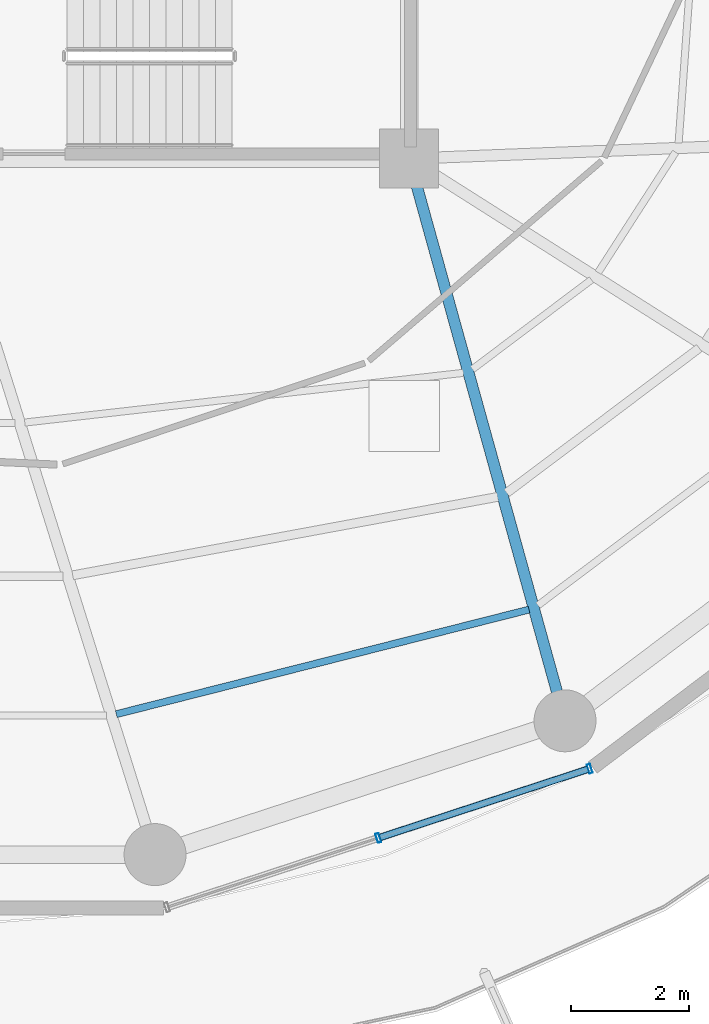
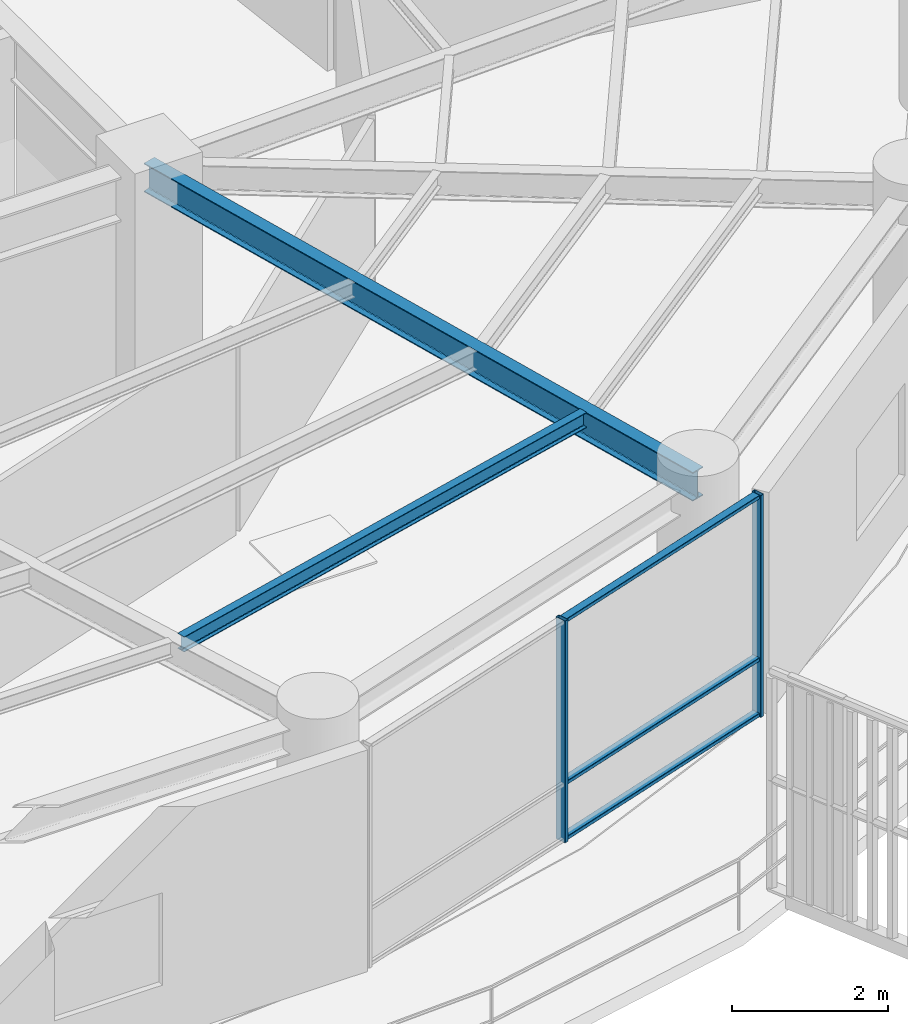
# One storey, part 10 of 31: 5 members, 2 beams, 1 element without a shape of its own.
"""IFC4 building model written with IfcOpenShell, lengths in metres."""

from ifc_helpers import new_model, si_unit, direction, frame, origin, origin_2d, place, context, subcontext, project, spatial, hollow_rectangle, i_section, extrude, material, layer, layer_set, material_profile, profile_set, type_object, element, aggregate, save


model = new_model("IFC4")

# Units and contexts
model_context = context("Model", 3, precision=1e-05, world=origin(), true_north=direction((0.0, 1.0)))
body_context = subcontext(model_context, "Body", "Model", "MODEL_VIEW")
ifc_project = project(units=[si_unit("LENGTHUNIT", "METRE"), si_unit("AREAUNIT", "SQUARE_METRE"), si_unit("VOLUMEUNIT", "CUBIC_METRE"), si_unit("PLANEANGLEUNIT", "RADIAN"), si_unit("MASSUNIT", "GRAM", prefix="KILO")], contexts=[model_context])

# Site, building, storey
site_placement = place(None, origin())
site = spatial("IfcSite", under=ifc_project, at=site_placement, CompositionType="ELEMENT")
building_placement = place(site_placement, origin())
building = spatial("IfcBuilding", under=site, at=building_placement, Name="Kelanora Arch Commons", CompositionType="ELEMENT")
storey_placement = place(building_placement, frame((0.0, 0.0, 226.949951171875)))
storey = spatial("IfcBuildingStorey", under=building, at=storey_placement, Name="L58", CompositionType="ELEMENT", Elevation=226.949951171875)

# Beams
ifc_material_1 = material(Name="Steel S355", Category="steel")
ifc_material_profile_1 = material_profile(ifc_material_1, i_section(OverallWidth=0.1201171875, OverallDepth=0.239990234375, WebThickness=0.006103515625, FlangeThickness=0.009765625, FilletRadius=0.014892578125, at=origin_2d()), Name="IPE240")
ifc_profile_set_1 = profile_set([ifc_material_profile_1], Name="Steel S355")
beam_type_1 = type_object("IfcBeamType", Name="BM-JST-02", PredefinedType="JOIST", material=ifc_profile_set_1)
beam_1_placement = place(storey_placement, frame((77.03857421875, 41.5888671875, 3.3701171875), z_axis=(0.969370989998, 0.245601066263, 0.0), x_axis=(-0.245601066263, 0.969370989998, 0.0)))
element("IfcBeam", 1, at=beam_1_placement, inside=storey, type_object=beam_type_1, Name="Secondary Chord Joist BJC-28 L58", PredefinedType="JOIST", context=body_context, shape_type="SweptSolid", body=[
    extrude(i_section(OverallWidth=0.1201171875, OverallDepth=0.239990234375, WebThickness=0.006103515625, FlangeThickness=0.009765625, FilletRadius=0.014892578125, at=origin_2d()), origin(), (0.0, 0.0, 1.0), 7.2119140625),
])
ifc_material_profile_2 = material_profile(ifc_material_1, i_section(OverallWidth=0.18994140625, OverallDepth=0.449951171875, WebThickness=0.009521484375, FlangeThickness=0.0146484375, FilletRadius=0.02099609375, at=origin_2d()), Name="IPE450")
ifc_profile_set_2 = profile_set([ifc_material_profile_2], Name="Steel S355")
beam_type_2 = type_object("IfcBeamType", Name="BM-RAD-Z4", PredefinedType="BEAM", material=ifc_profile_set_2)
beam_2_placement = place(storey_placement, frame((82.0, 51.0, 3.26513671875), z_axis=(0.267120164296, -0.963663228429, 0.0), x_axis=(0.963663228429, 0.267120164296, 0.0)))
element("IfcBeam", 2, at=beam_2_placement, inside=storey, type_object=beam_type_2, Name="Radial Floor Girder BR-30 L58", PredefinedType="BEAM", context=body_context, shape_type="SweptSolid", body=[
    extrude(i_section(OverallWidth=0.18994140625, OverallDepth=0.449951171875, WebThickness=0.009521484375, FlangeThickness=0.0146484375, FilletRadius=0.02099609375, at=origin_2d()), origin(), (0.0, 0.0, 1.0), 9.8828125),
])

# Curtain wall, members
ifc_material_2 = material(Name="Terracotta ceramic-fritted low-E glass and aluminium", Category="masonry")
ifc_layer = layer(ifc_material_2, 0.175048828125)
ifc_layer_set = layer_set([ifc_layer], Name="Terracotta ceramic-fritted low-E glass and aluminium")
curtain_wall_type = type_object("IfcCurtainWallType", Name="CW-SYS-02", PredefinedType="NOTDEFINED", material=ifc_layer_set)
curtain_wall_placement = place(storey_placement, origin())
curtain_wall = element("IfcCurtainWall", 3, at=curtain_wall_placement, inside=storey, type_object=curtain_wall_type, Name="Unitised Curtain Wall L58-B14", PredefinedType="NOTDEFINED")
ifc_material_3 = material(Name="Powder-coated aluminium terracotta", Category="masonry")
ifc_material_profile_3 = material_profile(ifc_material_3, hollow_rectangle(XDim=0.159912109375, YDim=0.06005859375, WallThickness=0.0048828125, InnerFilletRadius=0.0048828125, OuterFilletRadius=0.010009765625, at=origin_2d()), Name="CWM160x60")
ifc_profile_set_3 = profile_set([ifc_material_profile_3], Name="Powder-coated aluminium terracotta")
member_type_1 = type_object("IfcMemberType", Name="CWM-STD", PredefinedType="MULLION", material=ifc_profile_set_3)
member_1_placement = place(storey_placement, frame((81.4775390625, 39.49169921875, 0.0), z_axis=(0.0, 0.0, 1.0), x_axis=(-0.311582439059, 0.950219124029, 0.0)))
member_1 = element("IfcMember", 4, at=member_1_placement, type_object=member_type_1, Name="CW-02 mullion 2", PredefinedType="MULLION", context=body_context, shape_type="SweptSolid", body=[
    extrude(hollow_rectangle(XDim=0.159912109375, YDim=0.06005859375, WallThickness=0.0048828125, InnerFilletRadius=0.0048828125, OuterFilletRadius=0.010009765625, at=origin_2d()), origin(), (0.0, 0.0, 1.0), 3.47509765625),
])
member_2_placement = place(storey_placement, frame((85.05712890625, 40.66552734375, 0.0), z_axis=(0.0, 0.0, 1.0), x_axis=(-0.311582439059, 0.950219124029, 0.0)))
member_2 = element("IfcMember", 5, at=member_2_placement, type_object=member_type_1, Name="CW-02 mullion 3", PredefinedType="MULLION", context=body_context, shape_type="SweptSolid", body=[
    extrude(hollow_rectangle(XDim=0.159912109375, YDim=0.06005859375, WallThickness=0.0048828125, InnerFilletRadius=0.0048828125, OuterFilletRadius=0.010009765625, at=origin_2d()), origin(), (0.0, 0.0, 1.0), 3.47509765625),
])
ifc_material_profile_4 = material_profile(ifc_material_3, hollow_rectangle(XDim=0.1201171875, YDim=0.06005859375, WallThickness=0.0048828125, InnerFilletRadius=0.0048828125, OuterFilletRadius=0.010009765625, at=origin_2d()), Name="CWT120x60")
ifc_profile_set_4 = profile_set([ifc_material_profile_4], Name="Powder-coated aluminium terracotta")
member_type_2 = type_object("IfcMemberType", Name="CWT-STD", PredefinedType="USERDEFINED", material=ifc_profile_set_4)
member_3_placement = place(storey_placement, frame((81.506103515625, 39.5009765625, 0.030029296875), z_axis=(0.950226025222, 0.311561392011, 0.0), x_axis=(-0.311561392011, 0.950226025222, 0.0)))
member_3 = element("IfcMember", 6, at=member_3_placement, type_object=member_type_2, Name="CW-02 transom 2.1", ObjectType="TRANSOM", PredefinedType="USERDEFINED", context=body_context, shape_type="SweptSolid", body=[
    extrude(hollow_rectangle(XDim=0.1201171875, YDim=0.06005859375, WallThickness=0.0048828125, InnerFilletRadius=0.0048828125, OuterFilletRadius=0.010009765625, at=origin_2d()), origin(), (0.0, 0.0, 1.0), 3.707275390625),
])
member_4_placement = place(storey_placement, frame((81.506103515625, 39.5009765625, 0.900146484375), z_axis=(0.950226025222, 0.311561392011, 0.0), x_axis=(-0.311561392011, 0.950226025222, 0.0)))
member_4 = element("IfcMember", 7, at=member_4_placement, type_object=member_type_2, Name="CW-02 transom 2.2", ObjectType="TRANSOM", PredefinedType="USERDEFINED", context=body_context, shape_type="SweptSolid", body=[
    extrude(hollow_rectangle(XDim=0.1201171875, YDim=0.06005859375, WallThickness=0.0048828125, InnerFilletRadius=0.0048828125, OuterFilletRadius=0.010009765625, at=origin_2d()), origin(), (0.0, 0.0, 1.0), 3.707275390625),
])
member_5_placement = place(storey_placement, frame((81.506103515625, 39.5009765625, 3.445068359375), z_axis=(0.950226025222, 0.311561392011, 0.0), x_axis=(-0.311561392011, 0.950226025222, 0.0)))
member_5 = element("IfcMember", 8, at=member_5_placement, type_object=member_type_2, Name="CW-02 transom 2.3", ObjectType="TRANSOM", PredefinedType="USERDEFINED", context=body_context, shape_type="SweptSolid", body=[
    extrude(hollow_rectangle(XDim=0.1201171875, YDim=0.06005859375, WallThickness=0.0048828125, InnerFilletRadius=0.0048828125, OuterFilletRadius=0.010009765625, at=origin_2d()), origin(), (0.0, 0.0, 1.0), 3.707275390625),
])
aggregate(curtain_wall, [member_1, member_2, member_3, member_4, member_5])

save(model, "model.ifc")
